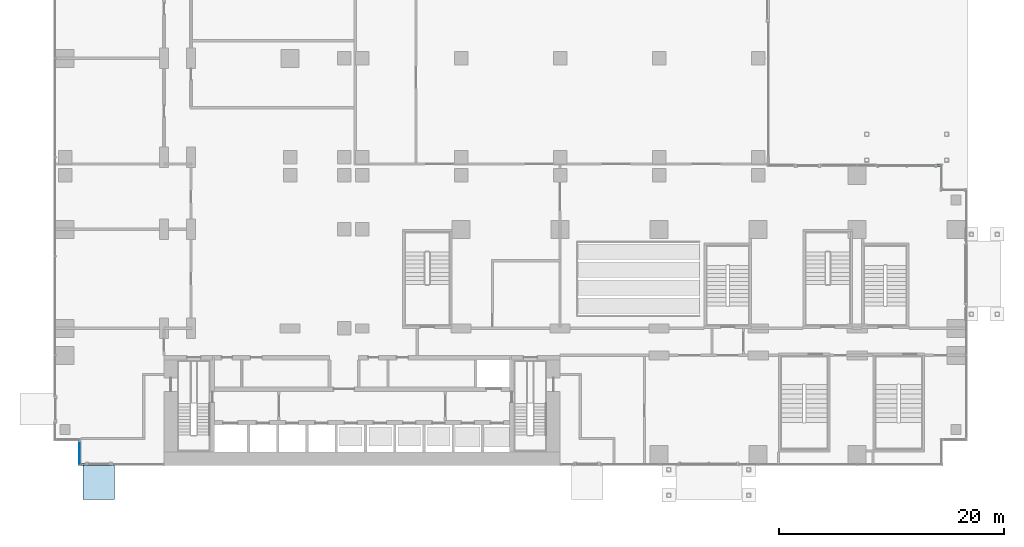
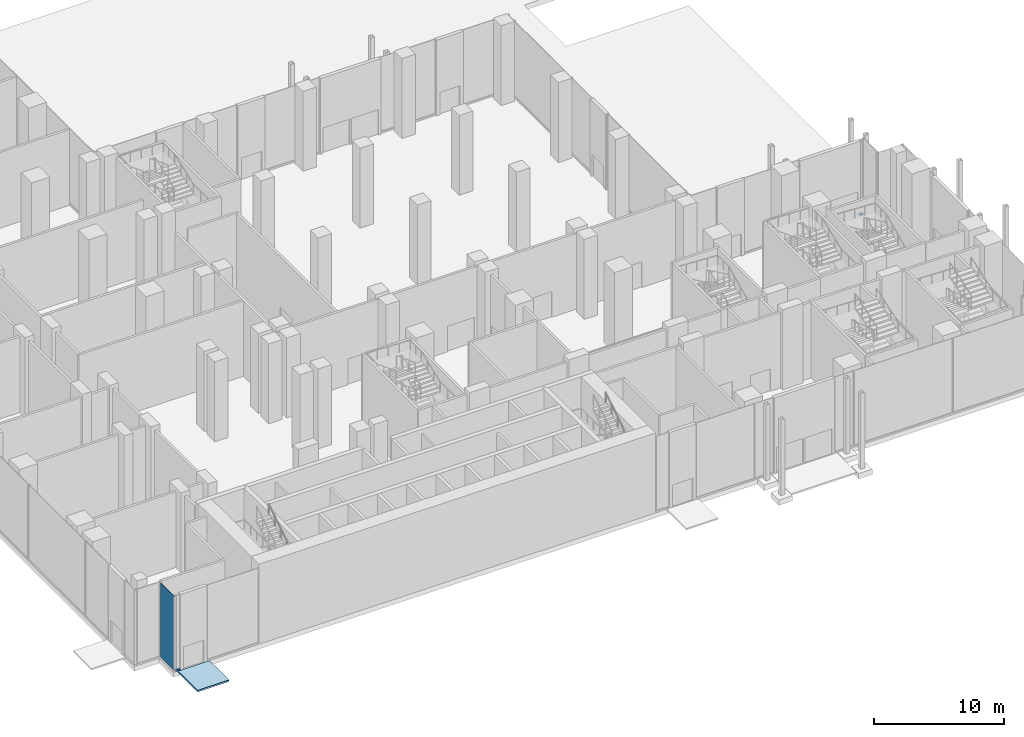
# One storey, part 16 of 41: 2 members, 1 plate, 1 slab, 3 elements without a shape of their own.
"""IFC4 building model written with IfcOpenShell, lengths in metres."""

from ifc_helpers import new_model, si_unit, direction, frame, origin, origin_2d, place, context, subcontext, project, spatial, polyline, rectangle, outline, extrude, source, transform, mapped, material, layer, layer_set, material_profile, profile_set, type_object, element, aggregate, save


model = new_model("IFC4")

# Units and contexts
model_context = context("Model", 3, precision=1e-05, world=origin(), true_north=direction((0.0, 1.0)))
body_context = subcontext(model_context, "Body", "Model", "MODEL_VIEW")
ifc_project = project(units=[si_unit("LENGTHUNIT", "METRE"), si_unit("AREAUNIT", "SQUARE_METRE"), si_unit("VOLUMEUNIT", "CUBIC_METRE"), si_unit("PLANEANGLEUNIT", "RADIAN"), si_unit("MASSUNIT", "GRAM", prefix="KILO")], contexts=[model_context])

# Site, building, storey
site_placement = place(None, origin())
site = spatial("IfcSite", under=ifc_project, at=site_placement, CompositionType="ELEMENT")
building_placement = place(site_placement, origin())
building = spatial("IfcBuilding", under=site, at=building_placement, Name="Kemantara Hotel Tower", CompositionType="ELEMENT")
storey_placement = place(building_placement, origin())
storey = spatial("IfcBuildingStorey", under=building, at=storey_placement, Name="L00", CompositionType="ELEMENT", Elevation=0.0)

# Curtain wall, member
ifc_material_1 = material(Name="Laminated tinted insulated glass 44 mm", Category="glass")
curtain_wall_type = type_object("IfcCurtainWallType", Name="PODIUM GLASS CURTAIN WALL", PredefinedType="USERDEFINED", material=ifc_material_1)
curtain_wall_1_placement = place(storey_placement, origin())
curtain_wall_1 = element("IfcCurtainWall", 1, at=curtain_wall_1_placement, inside=storey, type_object=curtain_wall_type, Name="CW1 L00 POD-R01-1", ObjectType="PODIUM GLASS CURTAIN WALL", PredefinedType="USERDEFINED")
ifc_material_2 = material(Name="Aluminium 6063-T6 bronze anodised", Category="aluminium")
ifc_material_profile = material_profile(ifc_material_2, rectangle(XDim=0.199951171875, YDim=0.14990234375, at=origin_2d()), Name="PODIUM GLASS CURTAIN WALL TRANSOM")
ifc_profile_set = profile_set([ifc_material_profile], Name="Aluminium 6063-T6 bronze anodised")
member_type = type_object("IfcMemberType", Name="PODIUM GLASS CURTAIN WALL TRANSOM", PredefinedType="USERDEFINED", material=ifc_profile_set)
member_1_placement = place(storey_placement, frame((2.39990234375, 0.10009765625, 0.074951171875), z_axis=(1.0, 0.0, 0.0), x_axis=(0.0, 1.0, 0.0)))
member_1 = element("IfcMember", 2, at=member_1_placement, type_object=member_type, Name="CW1 sill transom POD-R01-1", ObjectType="TRANSOM", PredefinedType="USERDEFINED", context=body_context, shape_type="SweptSolid", body=[
    extrude(rectangle(XDim=0.199951171875, YDim=0.14990234375, at=origin_2d()), origin(), (0.0, 0.0, 1.0), 0.400146484375),
])
aggregate(curtain_wall_1, [member_1])

curtain_wall_2_placement = place(storey_placement, origin())
curtain_wall_2 = element("IfcCurtainWall", 3, at=curtain_wall_2_placement, inside=storey, type_object=curtain_wall_type, Name="CW1 L00 POD-R07-1", ObjectType="PODIUM GLASS CURTAIN WALL", PredefinedType="USERDEFINED")
member_2_placement = place(storey_placement, frame((78.800048828125, 26.699951171875, 0.074951171875), z_axis=(-1.0, 0.0, 0.0), x_axis=(0.0, -1.0, 0.0)))
member_2 = element("IfcMember", 4, at=member_2_placement, type_object=member_type, Name="CW1 sill transom POD-R07-1", ObjectType="TRANSOM", PredefinedType="USERDEFINED", context=body_context, shape_type="SweptSolid", body=[
    extrude(rectangle(XDim=0.199951171875, YDim=0.14990234375, at=origin_2d()), origin(), (0.0, 0.0, 1.0), 0.300048828125),
])
aggregate(curtain_wall_2, [member_2])

# Slab
ifc_material_3 = material(Name="Granite paving on concrete base (fc 25 MPa)", Category="masonry")
ifc_layer_1 = layer(ifc_material_3, 0.14990234375)
ifc_layer_set_1 = layer_set([ifc_layer_1], Name="Granite paving on concrete base (fc 25 MPa)")
slab_type = type_object("IfcSlabType", Name="PLAZA PAVING 150", PredefinedType="USERDEFINED", material=ifc_layer_set_1)
slab_placement = place(storey_placement, frame((0.0, 0.0, -0.14990234375)))
element("IfcSlab", 5, at=slab_placement, inside=storey, type_object=slab_type, Name="ENTRANCE PAVING EXIT-ST1", ObjectType="PAVING", PredefinedType="USERDEFINED", context=body_context, shape_type="SweptSolid", body=[
    extrude(outline(polyline([(5.39990234375, 0.0), (5.39990234375, -3.0), (2.60009765625, -3.0), (2.60009765625, 0.0), (5.39990234375, 0.0)])), origin(), (0.0, 0.0, 1.0), 0.14990234375),
])

# Curtain wall, plate
curtain_wall_3_placement = place(storey_placement, origin())
curtain_wall_3 = element("IfcCurtainWall", 6, at=curtain_wall_3_placement, inside=storey, type_object=curtain_wall_type, Name="CW1 L00 POD-R00-1", ObjectType="PODIUM GLASS CURTAIN WALL", PredefinedType="USERDEFINED")
ifc_layer_2 = layer(ifc_material_1, 0.0439453125)
ifc_layer_set_2 = layer_set([ifc_layer_2], Name="Laminated tinted insulated glass 44 mm")
plate_type = type_object("IfcPlateType", Name="PODIUM GLASS CURTAIN WALL PANEL", PredefinedType="CURTAIN_PANEL", material=ifc_layer_set_2)
shared_shape = source(origin(), body_context, "Body", "SweptSolid", [
    extrude(rectangle(XDim=2.050048828125, YDim=0.0439453125, at=origin_2d()), origin(), (0.0, 0.0, 1.0), 6.949951171875),
])
plate_placement = place(storey_placement, frame((2.300048828125, 1.10009765625, 0.14990234375), z_axis=(0.0, 0.0, 1.0), x_axis=(0.0, -1.0, 0.0)))
plate = element("IfcPlate", 7, at=plate_placement, type_object=plate_type, Name="CW1 glass panel POD-R00-1.1", PredefinedType="CURTAIN_PANEL", context=body_context, shape_type="MappedRepresentation", body=[
    mapped(shared_shape, transform((0.0, 0.0, 0.0))),
])
aggregate(curtain_wall_3, [plate])

save(model, "model.ifc")
